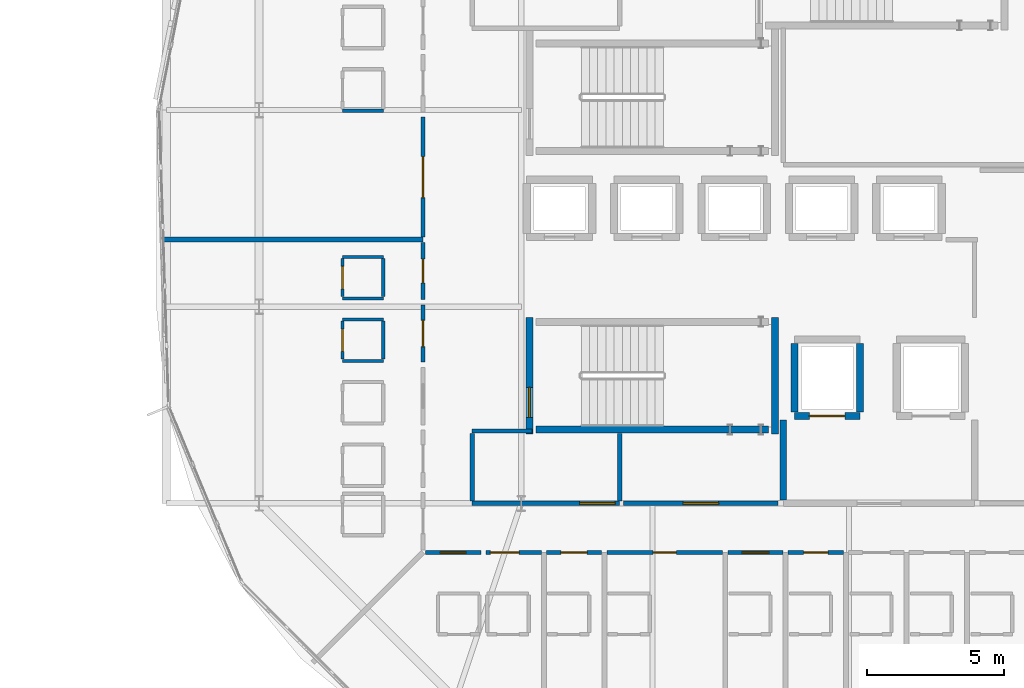
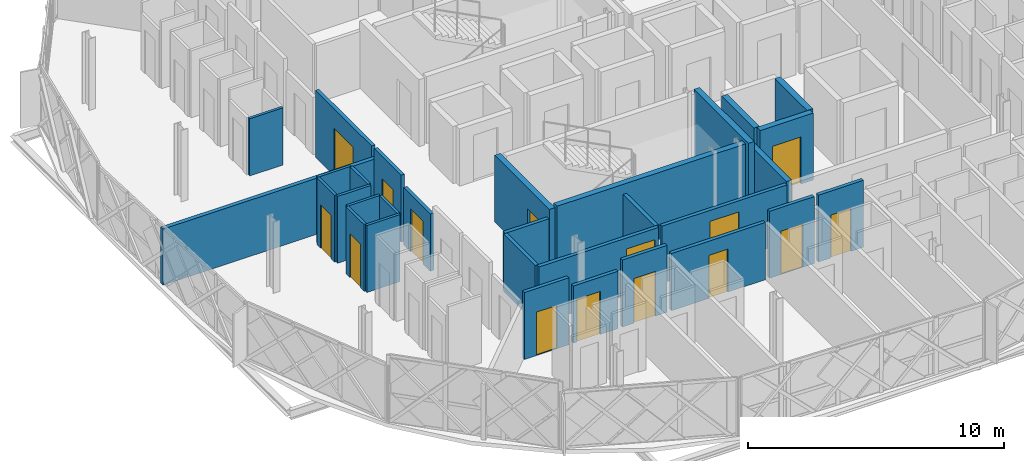
# One storey, part 39 of 50: 31 walls, 15 doors, 15 openings.
"""IFC4 building model written with IfcOpenShell, lengths in metres."""

from ifc_helpers import new_model, si_unit, direction, frame, frame_2d, origin, place, context, subcontext, project, spatial, rectangle, extrude, material, layer, layer_set, type_object, element, fill, save


model = new_model("IFC4")

# Units and contexts
model_context = context("Model", 3, precision=1e-05, world=origin(), true_north=direction((0.0, 1.0)))
body_context = subcontext(model_context, "Body", "Model", "MODEL_VIEW")
ifc_project = project(units=[si_unit("LENGTHUNIT", "METRE"), si_unit("AREAUNIT", "SQUARE_METRE"), si_unit("VOLUMEUNIT", "CUBIC_METRE"), si_unit("PLANEANGLEUNIT", "RADIAN"), si_unit("MASSUNIT", "GRAM", prefix="KILO")], contexts=[model_context])

# Site, building, storey
site_placement = place(None, origin())
site = spatial("IfcSite", under=ifc_project, at=site_placement, CompositionType="ELEMENT")
building_placement = place(site_placement, origin())
building = spatial("IfcBuilding", under=site, at=building_placement, Name="Zevrakil Square Congress Hotel", CompositionType="ELEMENT")
storey_placement = place(building_placement, frame((0.0, 0.0, 21.5)))
storey = spatial("IfcBuildingStorey", under=building, at=storey_placement, Name="L06", CompositionType="ELEMENT", Elevation=21.5)

# Wall
ifc_material_1 = material(Name="Concrete C35/45", Category="concrete")
ifc_layer_1 = layer(ifc_material_1, 0.239990234375)
ifc_layer_set_1 = layer_set([ifc_layer_1], Name="Concrete C35/45")
wall_type_1 = type_object("IfcWallType", Name="WAL-COMP-240", PredefinedType="SOLIDWALL", material=ifc_layer_set_1)
wall_1_placement = place(storey_placement, frame((146.39990234375, 16.925048828125, 0.0), z_axis=(0.0, 0.0, 1.0), x_axis=(0.0, 1.0, 0.0)))
element("IfcWall", 1, at=wall_1_placement, inside=storey, type_object=wall_type_1, Name="L06 interior partition PW-L06-0688", PredefinedType="SOLIDWALL", context=body_context, shape_type="SweptSolid", body=[
    extrude(rectangle(XDim=2.925048828125, YDim=0.239990234375, at=frame_2d((1.46240234375, 0.0))), origin(), (0.0, 0.0, 1.0), 2.72998046875),
])

# Wall, opening, door
ifc_material_2 = material(Name="Gypsum Acoustic Stud Partition")
ifc_layer_2 = layer(ifc_material_2, 0.159912109375)
ifc_layer_set_2 = layer_set([ifc_layer_2], Name="Gypsum Acoustic Stud Partition")
wall_type_2 = type_object("IfcWallType", Name="WAL-CORR-160", PredefinedType="PARTITIONING", material=ifc_layer_set_2)
wall_2_placement = place(storey_placement, frame((135.0, 16.800048828125, 0.0), z_axis=(0.0, 0.0, 1.0), x_axis=(1.0, 0.0, 0.0)))
wall_2 = element("IfcWall", 2, at=wall_2_placement, inside=storey, type_object=wall_type_2, Name="L06 interior partition PW-L06-0690", PredefinedType="PARTITIONING", context=body_context, shape_type="SweptSolid", body=[
    extrude(rectangle(XDim=5.39990234375, YDim=0.159912109375, at=frame_2d((2.699951171875, 0.0))), origin(), (0.0, 0.0, 1.0), 2.72998046875),
])
opening_1_placement = place(wall_2_placement, frame((3.93994140625, 0.0, 0.0)))
opening_1 = element("IfcOpeningElement", 3, at=opening_1_placement, cuts=wall_2, Name="Opening ID-08", PredefinedType="OPENING", context=body_context, shape_type="SweptSolid", body=[
    extrude(rectangle(XDim=1.300048828125, YDim=2.199951171875, at=frame_2d((0.64990234375, 1.10009765625))), frame((0.0, 0.08984375, 0.0), z_axis=(0.0, -1.0, 0.0), x_axis=(1.0, 0.0, 0.0)), (0.0, 0.0, 1.0), 0.179931640625),
])
ifc_material_3 = material(Name="Service Corridor Leaf-and-Half Door")
door_type_1 = type_object("IfcDoorType", Name="DOR-BOH-130", OperationType="NOTDEFINED", PredefinedType="DOOR", material=ifc_material_3)
door_1_placement = place(opening_1_placement, origin())
door_1 = element("IfcDoor", 4, at=door_1_placement, inside=storey, type_object=door_type_1, Name="L06 interior door 275", OperationType="SINGLE_SWING_LEFT", OverallHeight=2.199951171875, OverallWidth=1.300048828125, PredefinedType="DOOR", context=body_context, shape_type="SweptSolid", body=[
    extrude(rectangle(XDim=1.300048828125, YDim=2.199951171875, at=frame_2d((0.64990234375, 1.10009765625))), frame((0.0, 0.02490234375, 0.0), z_axis=(0.0, -1.0, 0.0), x_axis=(1.0, 0.0, 0.0)), (0.0, 0.0, 1.0), 0.050048828125),
])
fill(opening_1, door_1)

# Walls
for number, where, z_axis, x_axis, name in (
    (5, (135.0, 16.885009765625, 0.0), (0.0, 0.0, 1.0), (0.0, 1.0, 0.0), "L06 interior partition PW-L06-0691"),
    (6, (140.39990234375, 16.885009765625, 0.0), (0.0, 0.0, 1.0), (0.0, 1.0, 0.0), "L06 interior partition PW-L06-0692"),
):
    element("IfcWall", number, at=place(storey_placement, frame(where, z_axis=z_axis, x_axis=x_axis)), inside=storey, type_object=wall_type_2, Name=name, PredefinedType="PARTITIONING", context=body_context, shape_type="SweptSolid", body=[
        extrude(rectangle(XDim=2.47998046875, YDim=0.159912109375, at=frame_2d((1.239990234375, 0.0))), origin(), (0.0, 0.0, 1.0), 2.72998046875),
    ])
wall_3_placement = place(storey_placement, frame((135.0, 19.449951171875, 0.0), z_axis=(0.0, 0.0, 1.0), x_axis=(1.0, 0.0, 0.0)))
element("IfcWall", 7, at=wall_3_placement, inside=storey, type_object=wall_type_2, Name="L06 interior partition PW-L06-0693", PredefinedType="PARTITIONING", context=body_context, shape_type="SweptSolid", body=[
    extrude(rectangle(XDim=2.199951171875, YDim=0.159912109375, at=frame_2d((1.10009765625, 0.0))), origin(), (0.0, 0.0, 1.0), 2.72998046875),
])

# Wall, opening, door
wall_4_placement = place(storey_placement, frame((140.550048828125, 16.800048828125, 0.0), z_axis=(0.0, 0.0, 1.0), x_axis=(1.0, 0.0, 0.0)))
wall_4 = element("IfcWall", 8, at=wall_4_placement, inside=storey, type_object=wall_type_2, Name="L06 interior partition PW-L06-0694", PredefinedType="PARTITIONING", context=body_context, shape_type="SweptSolid", body=[
    extrude(rectangle(XDim=5.64990234375, YDim=0.159912109375, at=frame_2d((2.824951171875, 0.0))), origin(), (0.0, 0.0, 1.0), 2.72998046875),
])
opening_2_placement = place(wall_4_placement, frame((2.175048828125, 0.0, 0.0)))
opening_2 = element("IfcOpeningElement", 9, at=opening_2_placement, cuts=wall_4, Name="Opening ID-08", PredefinedType="OPENING", context=body_context, shape_type="SweptSolid", body=[
    extrude(rectangle(XDim=1.300048828125, YDim=2.199951171875, at=frame_2d((0.64990234375, 1.10009765625))), frame((0.0, 0.08984375, 0.0), z_axis=(0.0, -1.0, 0.0), x_axis=(1.0, 0.0, 0.0)), (0.0, 0.0, 1.0), 0.179931640625),
])
door_2_placement = place(opening_2_placement, origin())
door_2 = element("IfcDoor", 10, at=door_2_placement, inside=storey, type_object=door_type_1, Name="L06 interior door 276", OperationType="SINGLE_SWING_RIGHT", OverallHeight=2.199951171875, OverallWidth=1.300048828125, PredefinedType="DOOR", context=body_context, shape_type="SweptSolid", body=[
    extrude(rectangle(XDim=1.300048828125, YDim=2.199951171875, at=frame_2d((0.64990234375, 1.10009765625))), frame((0.0, 0.02490234375, 0.0), z_axis=(0.0, -1.0, 0.0), x_axis=(1.0, 0.0, 0.0)), (0.0, 0.0, 1.0), 0.050048828125),
])
fill(opening_2, door_2)

wall_5_placement = place(storey_placement, frame((133.199951171875, 26.549560546875, 0.0), z_axis=(0.0, 0.0, 1.0), x_axis=(0.0, 1.0, 0.0)))
wall_5 = element("IfcWall", 11, at=wall_5_placement, inside=storey, type_object=wall_type_2, Name="L06 interior partition PW-L06-0708", PredefinedType="PARTITIONING", context=body_context, shape_type="SweptSolid", body=[
    extrude(rectangle(XDim=4.391845703125, YDim=0.159912109375, at=frame_2d((2.19580078125, 0.0))), origin(), (0.0, 0.0, 1.0), 3.195068359375),
])
opening_3_placement = place(wall_5_placement, frame((1.44580078125, 0.0, 0.0)))
opening_3 = element("IfcOpeningElement", 12, at=opening_3_placement, cuts=wall_5, Name="Opening ID-03", PredefinedType="OPENING", context=body_context, shape_type="SweptSolid", body=[
    extrude(rectangle(XDim=1.5, YDim=2.25, at=frame_2d((0.75, 1.125))), frame((0.0, 0.08984375, 0.0), z_axis=(0.0, -1.0, 0.0), x_axis=(1.0, 0.0, 0.0)), (0.0, 0.0, 1.0), 0.179931640625),
])
ifc_material_4 = material(Name="Acoustic Double Meeting Door")
door_type_2 = type_object("IfcDoorType", Name="DOR-MTG-150", OperationType="NOTDEFINED", PredefinedType="DOOR", material=ifc_material_4)
door_3_placement = place(opening_3_placement, origin())
door_3 = element("IfcDoor", 13, at=door_3_placement, inside=storey, type_object=door_type_2, Name="L06 interior door 280", OperationType="DOUBLE_DOOR_SINGLE_SWING", OverallHeight=2.25, OverallWidth=1.5, PredefinedType="DOOR", context=body_context, shape_type="SweptSolid", body=[
    extrude(rectangle(XDim=1.5, YDim=2.25, at=frame_2d((0.75, 1.125))), frame((0.0, 0.02490234375, 0.0), z_axis=(0.0, -1.0, 0.0), x_axis=(1.0, 0.0, 0.0)), (0.0, 0.0, 1.0), 0.050048828125),
])
fill(opening_3, door_3)

wall_6_placement = place(storey_placement, frame((133.294921875, 15.0, 0.0), z_axis=(0.0, 0.0, 1.0), x_axis=(1.0, 0.0, 0.0)))
wall_6 = element("IfcWall", 14, at=wall_6_placement, inside=storey, type_object=wall_type_2, Name="L06 interior partition PW-L06-0709", PredefinedType="PARTITIONING", context=body_context, shape_type="SweptSolid", body=[
    extrude(rectangle(XDim=2.023681640625, YDim=0.159912109375, at=frame_2d((1.01171875, 0.0))), origin(), (0.0, 0.0, 1.0), 3.195068359375),
])
opening_4_placement = place(wall_6_placement, frame((0.543701171875, 0.0, 0.0)))
opening_4 = element("IfcOpeningElement", 15, at=opening_4_placement, cuts=wall_6, Name="Opening ID-H08", PredefinedType="OPENING", context=body_context, shape_type="SweptSolid", body=[
    extrude(rectangle(XDim=0.93603515625, YDim=2.070068359375, at=frame_2d((0.468017578125, 1.03515625))), frame((0.0, 0.08984375, 0.0), z_axis=(0.0, -1.0, 0.0), x_axis=(1.0, 0.0, 0.0)), (0.0, 0.0, 1.0), 0.179931640625),
])
ifc_material_5 = material(Name="Acoustic Timber Fire Door", Category="wood")
door_type_3 = type_object("IfcDoorType", Name="DOR-INT-H08", OperationType="NOTDEFINED", PredefinedType="DOOR", material=ifc_material_5)
door_4_placement = place(opening_4_placement, origin())
door_4 = element("IfcDoor", 16, at=door_4_placement, inside=storey, type_object=door_type_3, Name="L06 interior door 281", OperationType="SINGLE_SWING_LEFT", OverallHeight=2.070068359375, OverallWidth=0.93603515625, PredefinedType="DOOR", context=body_context, shape_type="SweptSolid", body=[
    extrude(rectangle(XDim=0.93603515625, YDim=2.070068359375, at=frame_2d((0.468017578125, 1.03515625))), frame((0.0, 0.02490234375, 0.0), z_axis=(0.0, -1.0, 0.0), x_axis=(1.0, 0.0, 0.0)), (0.0, 0.0, 1.0), 0.050048828125),
])
fill(opening_4, door_4)

wall_7_placement = place(storey_placement, frame((135.508544921875, 15.0, 0.0), z_axis=(0.0, 0.0, 1.0), x_axis=(1.0, 0.0, 0.0)))
wall_7 = element("IfcWall", 17, at=wall_7_placement, inside=storey, type_object=wall_type_2, Name="L06 interior partition PW-L06-0715", PredefinedType="PARTITIONING", context=body_context, shape_type="SweptSolid", body=[
    extrude(rectangle(XDim=2.023681640625, YDim=0.159912109375, at=frame_2d((1.01171875, 0.0))), origin(), (0.0, 0.0, 1.0), 2.72998046875),
])
opening_5_placement = place(wall_7_placement, frame((0.159912109375, 0.0, 0.0)))
opening_5 = element("IfcOpeningElement", 18, at=opening_5_placement, cuts=wall_7, Name="Opening ID-G09", PredefinedType="OPENING", context=body_context, shape_type="SweptSolid", body=[
    extrude(rectangle(XDim=1.054931640625, YDim=2.050048828125, at=frame_2d((0.52734375, 1.02490234375))), frame((0.0, 0.08984375, 0.0), z_axis=(0.0, -1.0, 0.0), x_axis=(1.0, 0.0, 0.0)), (0.0, 0.0, 1.0), 0.179931640625),
])
ifc_material_6 = material(Name="Acoustic Timber Fire Door", Category="wood")
door_type_4 = type_object("IfcDoorType", Name="DOR-INT-G09", OperationType="NOTDEFINED", PredefinedType="DOOR", material=ifc_material_6)
door_5_placement = place(opening_5_placement, origin())
door_5 = element("IfcDoor", 19, at=door_5_placement, inside=storey, type_object=door_type_4, Name="L06 interior door 283", OperationType="SINGLE_SWING_LEFT", OverallHeight=2.050048828125, OverallWidth=1.054931640625, PredefinedType="DOOR", context=body_context, shape_type="SweptSolid", body=[
    extrude(rectangle(XDim=1.054931640625, YDim=2.050048828125, at=frame_2d((0.52734375, 1.02490234375))), frame((0.0, 0.02490234375, 0.0), z_axis=(0.0, -1.0, 0.0), x_axis=(1.0, 0.0, 0.0)), (0.0, 0.0, 1.0), 0.050048828125),
])
fill(opening_5, door_5)

wall_8_placement = place(storey_placement, frame((137.722412109375, 15.0, 0.0), z_axis=(0.0, 0.0, 1.0), x_axis=(1.0, 0.0, 0.0)))
wall_8 = element("IfcWall", 20, at=wall_8_placement, inside=storey, type_object=wall_type_2, Name="L06 interior partition PW-L06-0721", PredefinedType="PARTITIONING", context=body_context, shape_type="SweptSolid", body=[
    extrude(rectangle(XDim=2.0234375, YDim=0.159912109375, at=frame_2d((1.01171875, 0.0))), origin(), (0.0, 0.0, 1.0), 3.195068359375),
])
opening_6_placement = place(wall_8_placement, frame((0.53173828125, 0.0, 0.0)))
opening_6 = element("IfcOpeningElement", 21, at=opening_6_placement, cuts=wall_8, Name="Opening ID-H10", PredefinedType="OPENING", context=body_context, shape_type="SweptSolid", body=[
    extrude(rectangle(XDim=0.9599609375, YDim=2.1298828125, at=frame_2d((0.47998046875, 1.06494140625))), frame((0.0, 0.08984375, 0.0), z_axis=(0.0, -1.0, 0.0), x_axis=(1.0, 0.0, 0.0)), (0.0, 0.0, 1.0), 0.179931640625),
])
ifc_material_7 = material(Name="Acoustic Timber Fire Door", Category="wood")
door_type_5 = type_object("IfcDoorType", Name="DOR-INT-H10", OperationType="NOTDEFINED", PredefinedType="DOOR", material=ifc_material_7)
door_6_placement = place(opening_6_placement, origin())
door_6 = element("IfcDoor", 22, at=door_6_placement, inside=storey, type_object=door_type_5, Name="L06 interior door 285", OperationType="SINGLE_SWING_LEFT", OverallHeight=2.1298828125, OverallWidth=0.9599609375, PredefinedType="DOOR", context=body_context, shape_type="SweptSolid", body=[
    extrude(rectangle(XDim=0.9599609375, YDim=2.1298828125, at=frame_2d((0.47998046875, 1.06494140625))), frame((0.0, 0.02490234375, 0.0), z_axis=(0.0, -1.0, 0.0), x_axis=(1.0, 0.0, 0.0)), (0.0, 0.0, 1.0), 0.050048828125),
])
fill(opening_6, door_6)

wall_9_placement = place(storey_placement, frame((139.935791015625, 15.0, 0.0), z_axis=(0.0, 0.0, 1.0), x_axis=(1.0, 0.0, 0.0)))
wall_9 = element("IfcWall", 23, at=wall_9_placement, inside=storey, type_object=wall_type_2, Name="L06 interior partition PW-L06-0726", PredefinedType="PARTITIONING", context=body_context, shape_type="SweptSolid", body=[
    extrude(rectangle(XDim=4.2373046875, YDim=0.159912109375, at=frame_2d((2.11865234375, 0.0))), origin(), (0.0, 0.0, 1.0), 2.72998046875),
])
opening_7_placement = place(wall_9_placement, frame((1.691162109375, 0.0, 0.0)))
opening_7 = element("IfcOpeningElement", 24, at=opening_7_placement, cuts=wall_9, Name="Opening ID-G01", PredefinedType="OPENING", context=body_context, shape_type="SweptSolid", body=[
    extrude(rectangle(XDim=0.85498046875, YDim=2.050048828125, at=frame_2d((0.427490234375, 1.02490234375))), frame((0.0, 0.08984375, 0.0), z_axis=(0.0, -1.0, 0.0), x_axis=(1.0, 0.0, 0.0)), (0.0, 0.0, 1.0), 0.179931640625),
])
ifc_material_8 = material(Name="Acoustic Timber Fire Door", Category="wood")
door_type_6 = type_object("IfcDoorType", Name="DOR-INT-G01", OperationType="NOTDEFINED", PredefinedType="DOOR", material=ifc_material_8)
door_7_placement = place(opening_7_placement, origin())
door_7 = element("IfcDoor", 25, at=door_7_placement, inside=storey, type_object=door_type_6, Name="L06 interior door 287", OperationType="SINGLE_SWING_LEFT", OverallHeight=2.050048828125, OverallWidth=0.85498046875, PredefinedType="DOOR", context=body_context, shape_type="SweptSolid", body=[
    extrude(rectangle(XDim=0.85498046875, YDim=2.050048828125, at=frame_2d((0.427490234375, 1.02490234375))), frame((0.0, 0.02490234375, 0.0), z_axis=(0.0, -1.0, 0.0), x_axis=(1.0, 0.0, 0.0)), (0.0, 0.0, 1.0), 0.050048828125),
])
fill(opening_7, door_7)

wall_10_placement = place(storey_placement, frame((144.36328125, 15.0, 0.0), z_axis=(0.0, 0.0, 1.0), x_axis=(1.0, 0.0, 0.0)))
wall_10 = element("IfcWall", 26, at=wall_10_placement, inside=storey, type_object=wall_type_2, Name="L06 interior partition PW-L06-0731", PredefinedType="PARTITIONING", context=body_context, shape_type="SweptSolid", body=[
    extrude(rectangle(XDim=2.0234375, YDim=0.159912109375, at=frame_2d((1.01171875, 0.0))), origin(), (0.0, 0.0, 1.0), 3.195068359375),
])
opening_8_placement = place(wall_10_placement, frame((0.519775390625, 0.0, 0.0)))
opening_8 = element("IfcOpeningElement", 27, at=opening_8_placement, cuts=wall_10, Name="Opening ID-H12", PredefinedType="OPENING", context=body_context, shape_type="SweptSolid", body=[
    extrude(rectangle(XDim=0.98388671875, YDim=2.070068359375, at=frame_2d((0.491943359375, 1.03515625))), frame((0.0, 0.08984375, 0.0), z_axis=(0.0, -1.0, 0.0), x_axis=(1.0, 0.0, 0.0)), (0.0, 0.0, 1.0), 0.179931640625),
])
ifc_material_9 = material(Name="Acoustic Timber Fire Door", Category="wood")
door_type_7 = type_object("IfcDoorType", Name="DOR-INT-H12", OperationType="NOTDEFINED", PredefinedType="DOOR", material=ifc_material_9)
door_8_placement = place(opening_8_placement, origin())
door_8 = element("IfcDoor", 28, at=door_8_placement, inside=storey, type_object=door_type_7, Name="L06 interior door 289", OperationType="SINGLE_SWING_LEFT", OverallHeight=2.070068359375, OverallWidth=0.98388671875, PredefinedType="DOOR", context=body_context, shape_type="SweptSolid", body=[
    extrude(rectangle(XDim=0.98388671875, YDim=2.070068359375, at=frame_2d((0.491943359375, 1.03515625))), frame((0.0, 0.02490234375, 0.0), z_axis=(0.0, -1.0, 0.0), x_axis=(1.0, 0.0, 0.0)), (0.0, 0.0, 1.0), 0.050048828125),
])
fill(opening_8, door_8)

wall_11_placement = place(storey_placement, frame((146.576904296875, 15.0, 0.0), z_axis=(0.0, 0.0, 1.0), x_axis=(1.0, 0.0, 0.0)))
wall_11 = element("IfcWall", 29, at=wall_11_placement, inside=storey, type_object=wall_type_2, Name="L06 interior partition PW-L06-0736", PredefinedType="PARTITIONING", context=body_context, shape_type="SweptSolid", body=[
    extrude(rectangle(XDim=2.023681640625, YDim=0.159912109375, at=frame_2d((1.01171875, 0.0))), origin(), (0.0, 0.0, 1.0), 3.195068359375),
])
opening_9_placement = place(wall_11_placement, frame((0.559326171875, 0.0, 0.0)))
opening_9 = element("IfcOpeningElement", 30, at=opening_9_placement, cuts=wall_11, Name="Opening ID-G03", PredefinedType="OPENING", context=body_context, shape_type="SweptSolid", body=[
    extrude(rectangle(XDim=0.905029296875, YDim=2.050048828125, at=frame_2d((0.45263671875, 1.02490234375))), frame((0.0, 0.08984375, 0.0), z_axis=(0.0, -1.0, 0.0), x_axis=(1.0, 0.0, 0.0)), (0.0, 0.0, 1.0), 0.179931640625),
])
ifc_material_10 = material(Name="Acoustic Timber Fire Door", Category="wood")
door_type_8 = type_object("IfcDoorType", Name="DOR-INT-G03", OperationType="NOTDEFINED", PredefinedType="DOOR", material=ifc_material_10)
door_9_placement = place(opening_9_placement, origin())
door_9 = element("IfcDoor", 31, at=door_9_placement, inside=storey, type_object=door_type_8, Name="L06 interior door 291", OperationType="SINGLE_SWING_LEFT", OverallHeight=2.050048828125, OverallWidth=0.905029296875, PredefinedType="DOOR", context=body_context, shape_type="SweptSolid", body=[
    extrude(rectangle(XDim=0.905029296875, YDim=2.050048828125, at=frame_2d((0.45263671875, 1.02490234375))), frame((0.0, 0.02490234375, 0.0), z_axis=(0.0, -1.0, 0.0), x_axis=(1.0, 0.0, 0.0)), (0.0, 0.0, 1.0), 0.050048828125),
])
fill(opening_9, door_9)

wall_12_placement = place(storey_placement, frame((133.199951171875, 24.258544921875, 0.0), z_axis=(0.0, 0.0, 1.0), x_axis=(0.0, 1.0, 0.0)))
wall_12 = element("IfcWall", 32, at=wall_12_placement, inside=storey, type_object=wall_type_2, Name="L06 interior partition PW-L06-0893", PredefinedType="PARTITIONING", context=body_context, shape_type="SweptSolid", body=[
    extrude(rectangle(XDim=2.10107421875, YDim=0.159912109375, at=frame_2d((1.050537109375, 0.0))), origin(), (0.0, 0.0, 1.0), 3.195068359375),
])
opening_10_placement = place(wall_12_placement, frame((0.618408203125, 0.0, 0.0)))
opening_10 = element("IfcOpeningElement", 33, at=opening_10_placement, cuts=wall_12, Name="Opening ID-H02", PredefinedType="OPENING", context=body_context, shape_type="SweptSolid", body=[
    extrude(rectangle(XDim=0.864013671875, YDim=2.1298828125, at=frame_2d((0.43212890625, 1.06494140625))), frame((0.0, 0.08984375, 0.0), z_axis=(0.0, -1.0, 0.0), x_axis=(1.0, 0.0, 0.0)), (0.0, 0.0, 1.0), 0.179931640625),
])
ifc_material_11 = material(Name="Acoustic Timber Fire Door", Category="wood")
door_type_9 = type_object("IfcDoorType", Name="DOR-INT-H02", OperationType="NOTDEFINED", PredefinedType="DOOR", material=ifc_material_11)
door_10_placement = place(opening_10_placement, origin())
door_10 = element("IfcDoor", 34, at=door_10_placement, inside=storey, type_object=door_type_9, Name="L06 interior door 353", OperationType="SINGLE_SWING_LEFT", OverallHeight=2.1298828125, OverallWidth=0.864013671875, PredefinedType="DOOR", context=body_context, shape_type="SweptSolid", body=[
    extrude(rectangle(XDim=0.864013671875, YDim=2.1298828125, at=frame_2d((0.43212890625, 1.06494140625))), frame((0.0, 0.02490234375, 0.0), z_axis=(0.0, -1.0, 0.0), x_axis=(1.0, 0.0, 0.0)), (0.0, 0.0, 1.0), 0.050048828125),
])
fill(opening_10, door_10)

wall_13_placement = place(storey_placement, frame((133.199951171875, 21.9677734375, 0.0), z_axis=(0.0, 0.0, 1.0), x_axis=(0.0, 1.0, 0.0)))
wall_13 = element("IfcWall", 35, at=wall_13_placement, inside=storey, type_object=wall_type_2, Name="L06 interior partition PW-L06-0899", PredefinedType="PARTITIONING", context=body_context, shape_type="SweptSolid", body=[
    extrude(rectangle(XDim=2.100830078125, YDim=0.159912109375, at=frame_2d((1.05029296875, 0.0))), origin(), (0.0, 0.0, 1.0), 2.72998046875),
])
opening_11_placement = place(wall_13_placement, frame((0.572998046875, 0.0, 0.0)))
opening_11 = element("IfcOpeningElement", 36, at=opening_11_placement, cuts=wall_13, Name="Opening ID-G05", PredefinedType="OPENING", context=body_context, shape_type="SweptSolid", body=[
    extrude(rectangle(XDim=0.955078125, YDim=2.050048828125, at=frame_2d((0.4775390625, 1.02490234375))), frame((0.0, 0.08984375, 0.0), z_axis=(0.0, -1.0, 0.0), x_axis=(1.0, 0.0, 0.0)), (0.0, 0.0, 1.0), 0.179931640625),
])
ifc_material_12 = material(Name="Acoustic Timber Fire Door", Category="wood")
door_type_10 = type_object("IfcDoorType", Name="DOR-INT-G05", OperationType="NOTDEFINED", PredefinedType="DOOR", material=ifc_material_12)
door_11_placement = place(opening_11_placement, origin())
door_11 = element("IfcDoor", 37, at=door_11_placement, inside=storey, type_object=door_type_10, Name="L06 interior door 355", OperationType="SINGLE_SWING_LEFT", OverallHeight=2.050048828125, OverallWidth=0.955078125, PredefinedType="DOOR", context=body_context, shape_type="SweptSolid", body=[
    extrude(rectangle(XDim=0.955078125, YDim=2.050048828125, at=frame_2d((0.4775390625, 1.02490234375))), frame((0.0, 0.02490234375, 0.0), z_axis=(0.0, -1.0, 0.0), x_axis=(1.0, 0.0, 0.0)), (0.0, 0.0, 1.0), 0.050048828125),
])
fill(opening_11, door_11)

# Walls
ifc_material_13 = material(Name="Moisture-Resistant Gypsum Partition")
ifc_layer_3 = layer(ifc_material_13, 0.1201171875)
ifc_layer_set_3 = layer_set([ifc_layer_3], Name="Moisture-Resistant Gypsum Partition")
wall_type_3 = type_object("IfcWallType", Name="WAL-ENS-120", PredefinedType="PARTITIONING", material=ifc_layer_set_3)
wall_14_placement = place(storey_placement, frame((130.25, 31.176513671875, 0.0), z_axis=(0.0, 0.0, 1.0), x_axis=(1.0, 0.0, 0.0)))
element("IfcWall", 38, at=wall_14_placement, inside=storey, type_object=wall_type_3, Name="L06 interior partition PW-L06-0889", PredefinedType="PARTITIONING", context=body_context, shape_type="SweptSolid", body=[
    extrude(rectangle(XDim=1.5, YDim=0.1201171875, at=frame_2d((0.75, 0.0))), origin(), (0.0, 0.0, 1.0), 2.72998046875),
])
for number, where, z_axis, x_axis, name in (
    (39, (130.25, 24.3037109375, 0.0), (0.0, 0.0, 1.0), (1.0, 0.0, 0.0), "L06 interior partition PW-L06-0894"),
    (40, (130.25, 25.823486328125, 0.0), (0.0, 0.0, 1.0), (1.0, 0.0, 0.0), "L06 interior partition PW-L06-0895"),
):
    element("IfcWall", number, at=place(storey_placement, frame(where, z_axis=z_axis, x_axis=x_axis)), inside=storey, type_object=wall_type_3, Name=name, PredefinedType="PARTITIONING", context=body_context, shape_type="SweptSolid", body=[
        extrude(rectangle(XDim=1.5, YDim=0.1201171875, at=frame_2d((0.75, 0.0))), origin(), (0.0, 0.0, 1.0), 3.195068359375),
    ])

# Wall, opening, door
wall_15_placement = place(storey_placement, frame((130.25, 24.36865234375, 0.0), z_axis=(0.0, 0.0, 1.0), x_axis=(0.0, 1.0, 0.0)))
wall_15 = element("IfcWall", 41, at=wall_15_placement, inside=storey, type_object=wall_type_3, Name="L06 interior partition PW-L06-0896", PredefinedType="PARTITIONING", context=body_context, shape_type="SweptSolid", body=[
    extrude(rectangle(XDim=1.389892578125, YDim=0.1201171875, at=frame_2d((0.69482421875, 0.0))), origin(), (0.0, 0.0, 1.0), 3.195068359375),
])
opening_12_placement = place(wall_15_placement, frame((0.284912109375, 0.0, 0.0)))
opening_12 = element("IfcOpeningElement", 42, at=opening_12_placement, cuts=wall_15, Name="Opening ID-11", PredefinedType="OPENING", context=body_context, shape_type="SweptSolid", body=[
    extrude(rectangle(XDim=0.820068359375, YDim=2.080078125, at=frame_2d((0.41015625, 1.0400390625))), frame((0.0, 0.070068359375, 0.0), z_axis=(0.0, -1.0, 0.0), x_axis=(1.0, 0.0, 0.0)), (0.0, 0.0, 1.0), 0.14013671875),
])
ifc_material_14 = material(Name="Acoustic Timber Door", Category="wood")
door_type_11 = type_object("IfcDoorType", Name="DOR-INT-V01", OperationType="NOTDEFINED", PredefinedType="DOOR", material=ifc_material_14)
door_12_placement = place(opening_12_placement, origin())
door_12 = element("IfcDoor", 43, at=door_12_placement, inside=storey, type_object=door_type_11, Name="L06 interior door 354", OperationType="SINGLE_SWING_RIGHT", OverallHeight=2.080078125, OverallWidth=0.820068359375, PredefinedType="DOOR", context=body_context, shape_type="SweptSolid", body=[
    extrude(rectangle(XDim=0.820068359375, YDim=2.080078125, at=frame_2d((0.41015625, 1.0400390625))), frame((0.0, 0.02490234375, 0.0), z_axis=(0.0, -1.0, 0.0), x_axis=(1.0, 0.0, 0.0)), (0.0, 0.0, 1.0), 0.050048828125),
])
fill(opening_12, door_12)

# Walls
wall_16_placement = place(storey_placement, frame((131.75, 24.36865234375, 0.0), z_axis=(0.0, 0.0, 1.0), x_axis=(0.0, 1.0, 0.0)))
element("IfcWall", 44, at=wall_16_placement, inside=storey, type_object=wall_type_3, Name="L06 interior partition PW-L06-0897", PredefinedType="PARTITIONING", context=body_context, shape_type="SweptSolid", body=[
    extrude(rectangle(XDim=1.389892578125, YDim=0.1201171875, at=frame_2d((0.69482421875, 0.0))), origin(), (0.0, 0.0, 1.0), 3.195068359375),
])
for number, where, z_axis, x_axis, name in (
    (45, (130.25, 22.0126953125, 0.0), (0.0, 0.0, 1.0), (1.0, 0.0, 0.0), "L06 interior partition PW-L06-0900"),
    (46, (130.25, 23.53271484375, 0.0), (0.0, 0.0, 1.0), (1.0, 0.0, 0.0), "L06 interior partition PW-L06-0901"),
):
    element("IfcWall", number, at=place(storey_placement, frame(where, z_axis=z_axis, x_axis=x_axis)), inside=storey, type_object=wall_type_3, Name=name, PredefinedType="PARTITIONING", context=body_context, shape_type="SweptSolid", body=[
        extrude(rectangle(XDim=1.5, YDim=0.1201171875, at=frame_2d((0.75, 0.0))), origin(), (0.0, 0.0, 1.0), 3.195068359375),
    ])

# Wall, opening, door
wall_17_placement = place(storey_placement, frame((130.25, 22.07763671875, 0.0), z_axis=(0.0, 0.0, 1.0), x_axis=(0.0, 1.0, 0.0)))
wall_17 = element("IfcWall", 47, at=wall_17_placement, inside=storey, type_object=wall_type_3, Name="L06 interior partition PW-L06-0902", PredefinedType="PARTITIONING", context=body_context, shape_type="SweptSolid", body=[
    extrude(rectangle(XDim=1.39013671875, YDim=0.1201171875, at=frame_2d((0.695068359375, 0.0))), origin(), (0.0, 0.0, 1.0), 3.195068359375),
])
opening_13_placement = place(wall_17_placement, frame((0.284912109375, 0.0, 0.0)))
opening_13 = element("IfcOpeningElement", 48, at=opening_13_placement, cuts=wall_17, Name="Opening ID-11", PredefinedType="OPENING", context=body_context, shape_type="SweptSolid", body=[
    extrude(rectangle(XDim=0.820068359375, YDim=2.080078125, at=frame_2d((0.41015625, 1.0400390625))), frame((0.0, 0.070068359375, 0.0), z_axis=(0.0, -1.0, 0.0), x_axis=(1.0, 0.0, 0.0)), (0.0, 0.0, 1.0), 0.14013671875),
])
door_13_placement = place(opening_13_placement, origin())
door_13 = element("IfcDoor", 49, at=door_13_placement, inside=storey, type_object=door_type_11, Name="L06 interior door 356", OperationType="SINGLE_SWING_RIGHT", OverallHeight=2.080078125, OverallWidth=0.820068359375, PredefinedType="DOOR", context=body_context, shape_type="SweptSolid", body=[
    extrude(rectangle(XDim=0.820068359375, YDim=2.080078125, at=frame_2d((0.41015625, 1.0400390625))), frame((0.0, 0.02490234375, 0.0), z_axis=(0.0, -1.0, 0.0), x_axis=(1.0, 0.0, 0.0)), (0.0, 0.0, 1.0), 0.050048828125),
])
fill(opening_13, door_13)

# Walls
wall_18_placement = place(storey_placement, frame((131.75, 22.07763671875, 0.0), z_axis=(0.0, 0.0, 1.0), x_axis=(0.0, 1.0, 0.0)))
element("IfcWall", 50, at=wall_18_placement, inside=storey, type_object=wall_type_3, Name="L06 interior partition PW-L06-0903", PredefinedType="PARTITIONING", context=body_context, shape_type="SweptSolid", body=[
    extrude(rectangle(XDim=1.39013671875, YDim=0.1201171875, at=frame_2d((0.695068359375, 0.0))), origin(), (0.0, 0.0, 1.0), 3.195068359375),
])
ifc_material_15 = material(Name="Gypsum Twin-Stud Party Partition")
ifc_layer_4 = layer(ifc_material_15, 0.179931640625)
ifc_layer_set_4 = layer_set([ifc_layer_4], Name="Gypsum Twin-Stud Party Partition")
wall_type_4 = type_object("IfcWallType", Name="WAL-PARTY-180", PredefinedType="PARTITIONING", material=ifc_layer_set_4)
wall_19_placement = place(storey_placement, frame((123.590087890625, 26.45458984375, 0.0), z_axis=(0.0, 0.0, 1.0), x_axis=(1.0, 0.0, 0.0)))
element("IfcWall", 51, at=wall_19_placement, inside=storey, type_object=wall_type_4, Name="L06 interior partition PW-L06-0898", PredefinedType="PARTITIONING", context=body_context, shape_type="SweptSolid", body=[
    extrude(rectangle(XDim=9.60986328125, YDim=0.179931640625, at=frame_2d((4.804931640625, 0.0))), origin(), (0.0, 0.0, 1.0), 2.679931640625),
])

# Wall, opening, door
ifc_material_16 = material(Name="Concrete C40/50", Category="concrete")
ifc_layer_5 = layer(ifc_material_16, 0.260009765625)
ifc_layer_set_5 = layer_set([ifc_layer_5], Name="Concrete C40/50")
wall_type_5 = type_object("IfcWallType", Name="WAL-SHAFT-260", PredefinedType="SHEAR", material=ifc_layer_set_5)
wall_20_placement = place(storey_placement, frame((137.10498046875, 19.340087890625, 0.0), z_axis=(0.0, 0.0, 1.0), x_axis=(0.0, 1.0, 0.0)))
wall_20 = element("IfcWall", 52, at=wall_20_placement, inside=storey, type_object=wall_type_5, Name="L06 ST01 stair shaft W wall", PredefinedType="SHEAR", context=body_context, shape_type="SweptSolid", body=[
    extrude(rectangle(XDim=4.27001953125, YDim=0.260009765625, at=frame_2d((2.135009765625, 0.0))), origin(), (0.0, 0.0, 1.0), 3.195068359375),
])
opening_14_placement = place(wall_20_placement, frame((0.610107421875, 0.0, 0.0)))
opening_14 = element("IfcOpeningElement", 53, at=opening_14_placement, cuts=wall_20, Name="Opening SD-ST01", PredefinedType="OPENING", context=body_context, shape_type="SweptSolid", body=[
    extrude(rectangle(XDim=1.10009765625, YDim=2.199951171875, at=frame_2d((0.550048828125, 1.10009765625))), frame((0.0, 0.14013671875, 0.0), z_axis=(0.0, -1.0, 0.0), x_axis=(1.0, 0.0, 0.0)), (0.0, 0.0, 1.0), 0.280029296875),
])
ifc_material_17 = material(Name="Steel S355 Fire-Rated Door", Category="steel")
door_type_12 = type_object("IfcDoorType", Name="DOR-STAIR-FD90-110", OperationType="NOTDEFINED", PredefinedType="DOOR", material=ifc_material_17)
door_14_placement = place(opening_14_placement, origin())
door_14 = element("IfcDoor", 54, at=door_14_placement, inside=storey, type_object=door_type_12, Name="L06 ST01 protected stair fire door", OperationType="SINGLE_SWING_LEFT", OverallHeight=2.199951171875, OverallWidth=1.10009765625, PredefinedType="DOOR", context=body_context, shape_type="SweptSolid", body=[
    extrude(rectangle(XDim=1.10009765625, YDim=2.199951171875, at=frame_2d((0.550048828125, 1.10009765625))), frame((0.0, 0.02490234375, 0.0), z_axis=(0.0, -1.0, 0.0), x_axis=(1.0, 0.0, 0.0)), (0.0, 0.0, 1.0), 0.050048828125),
])
fill(opening_14, door_14)

# Walls
wall_21_placement = place(storey_placement, frame((146.094970703125, 19.340087890625, 0.0), z_axis=(0.0, 0.0, 1.0), x_axis=(0.0, 1.0, 0.0)))
element("IfcWall", 55, at=wall_21_placement, inside=storey, type_object=wall_type_5, Name="L06 ST01 stair shaft E wall", PredefinedType="SHEAR", context=body_context, shape_type="SweptSolid", body=[
    extrude(rectangle(XDim=4.27001953125, YDim=0.260009765625, at=frame_2d((2.135009765625, 0.0))), origin(), (0.0, 0.0, 1.0), 3.195068359375),
])
wall_22_placement = place(storey_placement, frame((137.340087890625, 19.5048828125, 0.0), z_axis=(0.0, 0.0, 1.0), x_axis=(1.0, 0.0, 0.0)))
element("IfcWall", 56, at=wall_22_placement, inside=storey, type_object=wall_type_5, Name="L06 ST01 stair shaft S wall", PredefinedType="SHEAR", context=body_context, shape_type="SweptSolid", body=[
    extrude(rectangle(XDim=8.52001953125, YDim=0.260009765625, at=frame_2d((4.260009765625, 0.0))), origin(), (0.0, 0.0, 1.0), 3.195068359375),
])

# Wall, opening, door
wall_23_placement = place(storey_placement, frame((146.800048828125, 20.0, 0.0), z_axis=(0.0, 0.0, 1.0), x_axis=(1.0, 0.0, 0.0)))
wall_23 = element("IfcWall", 57, at=wall_23_placement, inside=storey, type_object=wall_type_5, Name="L06 FFL1 lift shaft wall", PredefinedType="SHEAR", context=body_context, shape_type="SweptSolid", body=[
    extrude(rectangle(XDim=2.39990234375, YDim=0.260009765625, at=frame_2d((1.199951171875, 0.0))), origin(), (0.0, 0.0, 1.0), 3.195068359375),
])
opening_15_placement = place(wall_23_placement, frame((0.550048828125, 0.0, 0.0)))
opening_15 = element("IfcOpeningElement", 58, at=opening_15_placement, cuts=wall_23, Name="Opening LD-FFL1", PredefinedType="OPENING", context=body_context, shape_type="SweptSolid", body=[
    extrude(rectangle(XDim=1.300048828125, YDim=2.25, at=frame_2d((0.64990234375, 1.125))), frame((0.0, 0.14013671875, 0.0), z_axis=(0.0, -1.0, 0.0), x_axis=(1.0, 0.0, 0.0)), (0.0, 0.0, 1.0), 0.280029296875),
])
ifc_material_18 = material(Name="Stretcher Firefighting Sliding Landing Door")
door_type_13 = type_object("IfcDoorType", Name="DOR-LIFT-LD130", OperationType="NOTDEFINED", PredefinedType="DOOR", material=ifc_material_18)
door_15_placement = place(opening_15_placement, origin())
door_15 = element("IfcDoor", 59, at=door_15_placement, inside=storey, type_object=door_type_13, Name="L06 FFL1 sliding lift landing door", OperationType="SLIDING_TO_RIGHT", OverallHeight=2.25, OverallWidth=1.300048828125, PredefinedType="DOOR", context=body_context, shape_type="SweptSolid", body=[
    extrude(rectangle(XDim=1.300048828125, YDim=2.25, at=frame_2d((0.64990234375, 1.125))), frame((0.0, 0.02490234375, 0.0), z_axis=(0.0, -1.0, 0.0), x_axis=(1.0, 0.0, 0.0)), (0.0, 0.0, 1.0), 0.050048828125),
])
fill(opening_15, door_15)

# Walls
for number, where, z_axis, x_axis, name in (
    (60, (146.800048828125, 20.139892578125, 0.0), (0.0, 0.0, 1.0), (0.0, 1.0, 0.0), "L06 FFL1 lift shaft wall"),
    (61, (149.199951171875, 20.139892578125, 0.0), (0.0, 0.0, 1.0), (0.0, 1.0, 0.0), "L06 FFL1 lift shaft wall"),
):
    element("IfcWall", number, at=place(storey_placement, frame(where, z_axis=z_axis, x_axis=x_axis)), inside=storey, type_object=wall_type_5, Name=name, PredefinedType="SHEAR", context=body_context, shape_type="SweptSolid", body=[
        extrude(rectangle(XDim=2.52001953125, YDim=0.260009765625, at=frame_2d((1.260009765625, 0.0))), origin(), (0.0, 0.0, 1.0), 3.195068359375),
    ])

save(model, "model.ifc")
